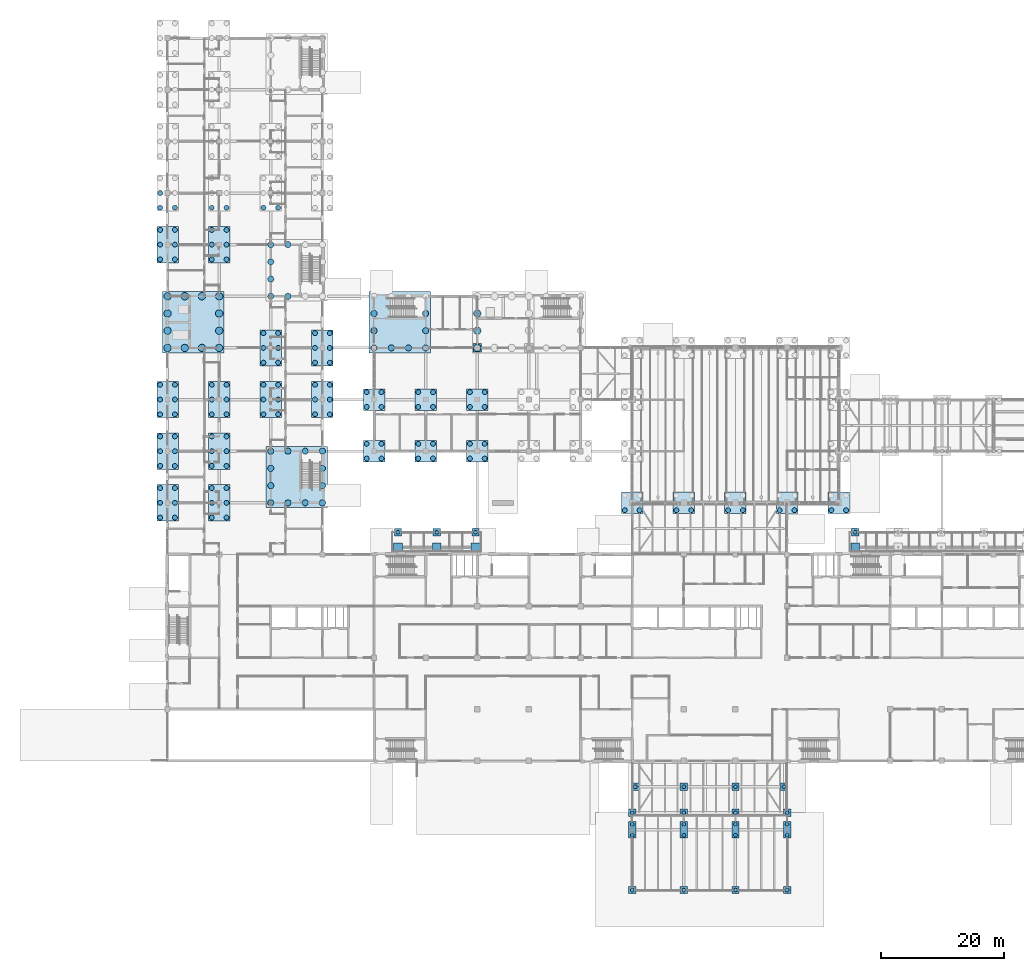
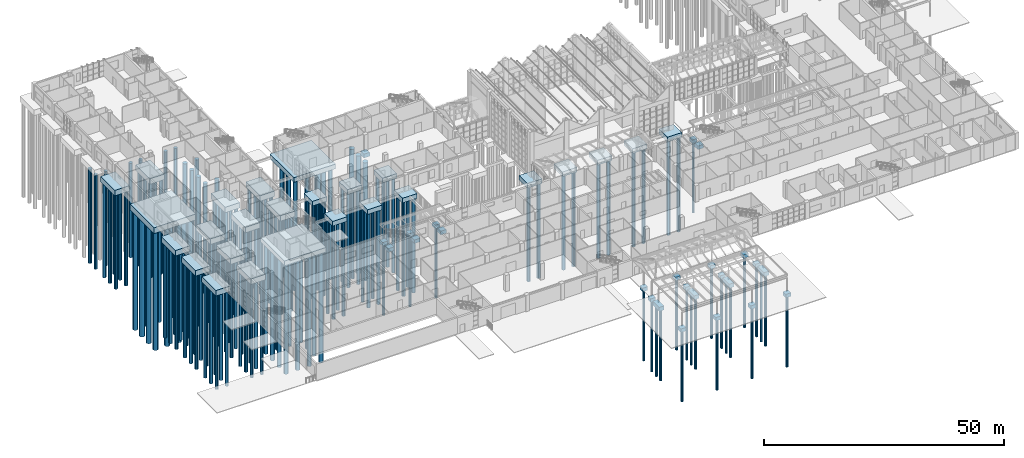
# One storey, part 1 of 138: 178 piles, 51 footings.
"""IFC4 building model written with IfcOpenShell, lengths in metres."""

from ifc_helpers import new_model, si_unit, direction, frame, origin, origin_2d, place, context, subcontext, project, spatial, rectangle, circle, extrude, material, material_profile, profile_set, type_object, element, save


model = new_model("IFC4")

# Units and contexts
model_context = context("Model", 3, precision=1e-05, world=origin(), true_north=direction((0.0, 1.0)))
body_context = subcontext(model_context, "Body", "Model", "MODEL_VIEW")
ifc_project = project(units=[si_unit("LENGTHUNIT", "METRE"), si_unit("AREAUNIT", "SQUARE_METRE"), si_unit("VOLUMEUNIT", "CUBIC_METRE"), si_unit("PLANEANGLEUNIT", "RADIAN"), si_unit("MASSUNIT", "GRAM", prefix="KILO")], contexts=[model_context])

# Site, building, storey
site_placement = place(None, origin())
site = spatial("IfcSite", under=ifc_project, at=site_placement, CompositionType="ELEMENT")
building_placement = place(site_placement, origin())
building = spatial("IfcBuilding", under=site, at=building_placement, Name="Yavir Park General Hospital", CompositionType="ELEMENT")
storey_placement = place(building_placement, origin())
storey = spatial("IfcBuildingStorey", under=building, at=storey_placement, Name="L00", CompositionType="ELEMENT", Elevation=0.0)

# Piles
ifc_material_1 = material(Name="Concrete C35/45", Category="concrete")
ifc_material_profile_1 = material_profile(ifc_material_1, circle(Radius=0.5, at=origin_2d()), Name="D1000")
ifc_profile_set_1 = profile_set([ifc_material_profile_1], Name="Concrete C35/45")
pile_type_1 = type_object("IfcPileType", Name="BORED PILE D1000", PredefinedType="BORED", material=ifc_profile_set_1)
for number, where, z_axis, x_axis, name in (
    (1, (16.800048828125, 42.0, -1.64990234375), (0.0, 0.0, -1.0), (1.0, 0.0, 0.0), "P:L00:SW1:00"),
    (2, (19.60009765625, 42.0, -1.64990234375), (0.0, 0.0, -1.0), (1.0, 0.0, 0.0), "P:L00:SW1:01"),
    (3, (22.39990234375, 42.0, -1.64990234375), (0.0, 0.0, -1.0), (1.0, 0.0, 0.0), "P:L00:SW1:02"),
    (4, (25.199951171875, 42.0, -1.64990234375), (0.0, 0.0, -1.0), (1.0, 0.0, 0.0), "P:L00:SW1:03"),
    (5, (16.800048828125, 44.800048828125, -1.64990234375), (0.0, 0.0, -1.0), (1.0, 0.0, 0.0), "P:L00:SW1:04"),
    (6, (25.199951171875, 44.800048828125, -1.64990234375), (0.0, 0.0, -1.0), (1.0, 0.0, 0.0), "P:L00:SW1:05"),
    (7, (16.800048828125, 47.60009765625, -1.64990234375), (0.0, 0.0, -1.0), (1.0, 0.0, 0.0), "P:L00:SW1:06"),
    (8, (25.199951171875, 47.60009765625, -1.64990234375), (0.0, 0.0, -1.0), (1.0, 0.0, 0.0), "P:L00:SW1:07"),
    (9, (16.800048828125, 50.39990234375, -1.64990234375), (0.0, 0.0, -1.0), (1.0, 0.0, 0.0), "P:L00:SW1:08"),
    (10, (19.60009765625, 50.39990234375, -1.64990234375), (0.0, 0.0, -1.0), (1.0, 0.0, 0.0), "P:L00:SW1:09"),
    (11, (22.39990234375, 50.39990234375, -1.64990234375), (0.0, 0.0, -1.0), (1.0, 0.0, 0.0), "P:L00:SW1:10"),
    (12, (25.199951171875, 50.39990234375, -1.64990234375), (0.0, 0.0, -1.0), (1.0, 0.0, 0.0), "P:L00:SW1:11"),
    (13, (16.800048828125, 75.60009765625, -1.64990234375), (0.0, 0.0, -1.0), (1.0, 0.0, 0.0), "P:L00:SW2:00"),
    (14, (19.60009765625, 75.60009765625, -1.64990234375), (0.0, 0.0, -1.0), (1.0, 0.0, 0.0), "P:L00:SW2:01"),
    (15, (16.800048828125, 78.39990234375, -1.64990234375), (0.0, 0.0, -1.0), (1.0, 0.0, 0.0), "P:L00:SW2:04"),
    (16, (16.800048828125, 81.199951171875, -1.64990234375), (0.0, 0.0, -1.0), (1.0, 0.0, 0.0), "P:L00:SW2:06"),
    (17, (16.800048828125, 84.0, -1.64990234375), (0.0, 0.0, -1.0), (1.0, 0.0, 0.0), "P:L00:SW2:08"),
    (18, (19.60009765625, 84.0, -1.64990234375), (0.0, 0.0, -1.0), (1.0, 0.0, 0.0), "P:L00:SW2:09"),
    (19, (33.60009765625, 67.199951171875, -1.64990234375), (0.0, 0.0, -1.0), (1.0, 0.0, 0.0), "P:L00:CS1:00"),
    (20, (36.39990234375, 67.199951171875, -1.64990234375), (0.0, 0.0, -1.0), (1.0, 0.0, 0.0), "P:L00:CS1:01"),
    (21, (39.199951171875, 67.199951171875, -1.64990234375), (0.0, 0.0, -1.0), (1.0, 0.0, 0.0), "P:L00:CS1:02"),
    (22, (42.0, 67.199951171875, -1.64990234375), (0.0, 0.0, -1.0), (1.0, 0.0, 0.0), "P:L00:CS1:03"),
    (23, (33.60009765625, 70.0, -1.64990234375), (0.0, 0.0, -1.0), (1.0, 0.0, 0.0), "P:L00:CS1:04"),
    (24, (42.0, 70.0, -1.64990234375), (0.0, 0.0, -1.0), (1.0, 0.0, 0.0), "P:L00:CS1:05"),
    (25, (33.60009765625, 72.800048828125, -1.64990234375), (0.0, 0.0, -1.0), (1.0, 0.0, 0.0), "P:L00:CS1:06"),
    (26, (42.0, 72.800048828125, -1.64990234375), (0.0, 0.0, -1.0), (1.0, 0.0, 0.0), "P:L00:CS1:07"),
):
    element("IfcPile", number, at=place(storey_placement, frame(where, z_axis=z_axis, x_axis=x_axis)), inside=storey, type_object=pile_type_1, Name=name, PredefinedType="BORED", context=body_context, shape_type="SweptSolid", body=[
        extrude(circle(Radius=0.5, at=origin_2d()), origin(), (0.0, 0.0, 1.0), 28.0),
    ])
ifc_material_2 = material(Name="Concrete C35/45", Category="concrete")
ifc_material_profile_2 = material_profile(ifc_material_2, circle(Radius=0.60009765625, at=origin_2d()), Name="D1200")
ifc_profile_set_2 = profile_set([ifc_material_profile_2], Name="Concrete C35/45")
pile_type_2 = type_object("IfcPileType", Name="BORED PILE D1200", PredefinedType="BORED", material=ifc_profile_set_2)
for number, where, z_axis, x_axis, name in (
    (27, (0.0, 67.199951171875, -2.89990234375), (0.0, 0.0, -1.0), (1.0, 0.0, 0.0), "P:L00:AL:00"),
    (28, (2.800048828125, 67.199951171875, -2.89990234375), (0.0, 0.0, -1.0), (1.0, 0.0, 0.0), "P:L00:AL:01"),
    (29, (5.60009765625, 67.199951171875, -2.89990234375), (0.0, 0.0, -1.0), (1.0, 0.0, 0.0), "P:L00:AL:02"),
    (30, (8.39990234375, 67.199951171875, -2.89990234375), (0.0, 0.0, -1.0), (1.0, 0.0, 0.0), "P:L00:AL:03"),
    (31, (0.0, 70.0, -2.89990234375), (0.0, 0.0, -1.0), (1.0, 0.0, 0.0), "P:L00:AL:04"),
    (32, (8.39990234375, 70.0, -2.89990234375), (0.0, 0.0, -1.0), (1.0, 0.0, 0.0), "P:L00:AL:05"),
    (33, (0.0, 72.800048828125, -2.89990234375), (0.0, 0.0, -1.0), (1.0, 0.0, 0.0), "P:L00:AL:06"),
    (34, (8.39990234375, 72.800048828125, -2.89990234375), (0.0, 0.0, -1.0), (1.0, 0.0, 0.0), "P:L00:AL:07"),
    (35, (0.0, 75.60009765625, -2.89990234375), (0.0, 0.0, -1.0), (1.0, 0.0, 0.0), "P:L00:AL:08"),
    (36, (2.800048828125, 75.60009765625, -2.89990234375), (0.0, 0.0, -1.0), (1.0, 0.0, 0.0), "P:L00:AL:09"),
    (37, (5.60009765625, 75.60009765625, -2.89990234375), (0.0, 0.0, -1.0), (1.0, 0.0, 0.0), "P:L00:AL:10"),
    (38, (8.39990234375, 75.60009765625, -2.89990234375), (0.0, 0.0, -1.0), (1.0, 0.0, 0.0), "P:L00:AL:11"),
    (39, (50.39990234375, 67.199951171875, -2.89990234375), (0.0, 0.0, -1.0), (1.0, 0.0, 0.0), "P:L00:CPL:00"),
    (40, (50.39990234375, 70.0, -2.89990234375), (0.0, 0.0, -1.0), (1.0, 0.0, 0.0), "P:L00:CPL:04"),
    (41, (50.39990234375, 72.800048828125, -2.89990234375), (0.0, 0.0, -1.0), (1.0, 0.0, 0.0), "P:L00:CPL:06"),
):
    element("IfcPile", number, at=place(storey_placement, frame(where, z_axis=z_axis, x_axis=x_axis)), inside=storey, type_object=pile_type_2, Name=name, PredefinedType="BORED", context=body_context, shape_type="SweptSolid", body=[
        extrude(circle(Radius=0.60009765625, at=origin_2d()), origin(), (0.0, 0.0, 1.0), 30.0),
    ])
ifc_material_3 = material(Name="Concrete C35/45", Category="concrete")
ifc_material_profile_3 = material_profile(ifc_material_3, circle(Radius=0.300048828125, at=origin_2d()), Name="D600")
ifc_profile_set_3 = profile_set([ifc_material_profile_3], Name="Concrete C35/45")
pile_type_3 = type_object("IfcPileType", Name="BORED PILE D600", PredefinedType="BORED", material=ifc_profile_set_3)
for number, where, z_axis, x_axis, name in (
    (42, (75.60009765625, -8.39990234375, -1.199951171875), (0.0, 0.0, -1.0), (1.0, 0.0, 0.0), "P:PORCH:SS0"),
    (43, (84.0, -8.39990234375, -1.199951171875), (0.0, 0.0, -1.0), (1.0, 0.0, 0.0), "P:PORCH:SS1"),
    (44, (92.39990234375, -8.39990234375, -1.199951171875), (0.0, 0.0, -1.0), (1.0, 0.0, 0.0), "P:PORCH:SS2"),
    (45, (100.800048828125, -8.39990234375, -1.199951171875), (0.0, 0.0, -1.0), (1.0, 0.0, 0.0), "P:PORCH:SS3"),
    (46, (76.10009765625, -4.199951171875, -1.199951171875), (0.0, 0.0, -1.0), (1.0, 0.0, 0.0), "P:PORCH:K0"),
    (47, (84.0, -4.199951171875, -1.199951171875), (0.0, 0.0, -1.0), (1.0, 0.0, 0.0), "P:PORCH:K1"),
    (48, (92.39990234375, -4.199951171875, -1.199951171875), (0.0, 0.0, -1.0), (1.0, 0.0, 0.0), "P:PORCH:K2"),
    (49, (100.300048828125, -4.199951171875, -1.199951171875), (0.0, 0.0, -1.0), (1.0, 0.0, 0.0), "P:PORCH:K3"),
    (50, (37.5, 37.199951171875, -1.199951171875), (0.0, 0.0, -1.0), (1.0, 0.0, 0.0), "P:ARC1:C10"),
    (51, (43.800048828125, 37.199951171875, -1.199951171875), (0.0, 0.0, -1.0), (1.0, 0.0, 0.0), "P:ARC1:C11"),
    (52, (50.10009765625, 37.199951171875, -1.199951171875), (0.0, 0.0, -1.0), (1.0, 0.0, 0.0), "P:ARC1:C12"),
    (53, (111.89990234375, 37.199951171875, -1.199951171875), (0.0, 0.0, -1.0), (1.0, 0.0, 0.0), "P:ARC2:C10"),
    (54, (75.60009765625, -12.10009765625, -1.300048828125), (0.0, 0.0, -1.0), (1.0, 0.0, 0.0), "P:DROP:C00:0"),
    (55, (75.60009765625, -10.300048828125, -1.300048828125), (0.0, 0.0, -1.0), (1.0, 0.0, 0.0), "P:DROP:C00:1"),
    (56, (84.0, -12.10009765625, -1.300048828125), (0.0, 0.0, -1.0), (1.0, 0.0, 0.0), "P:DROP:C01:0"),
    (57, (84.0, -10.300048828125, -1.300048828125), (0.0, 0.0, -1.0), (1.0, 0.0, 0.0), "P:DROP:C01:1"),
    (58, (92.39990234375, -12.10009765625, -1.300048828125), (0.0, 0.0, -1.0), (1.0, 0.0, 0.0), "P:DROP:C02:0"),
    (59, (92.39990234375, -10.300048828125, -1.300048828125), (0.0, 0.0, -1.0), (1.0, 0.0, 0.0), "P:DROP:C02:1"),
    (60, (100.800048828125, -12.10009765625, -1.300048828125), (0.0, 0.0, -1.0), (1.0, 0.0, 0.0), "P:DROP:C03:0"),
    (61, (100.800048828125, -10.300048828125, -1.300048828125), (0.0, 0.0, -1.0), (1.0, 0.0, 0.0), "P:DROP:C03:1"),
    (62, (75.60009765625, -21.0, -1.199951171875), (0.0, 0.0, -1.0), (1.0, 0.0, 0.0), "P:DROP:C10"),
    (63, (84.0, -21.0, -1.199951171875), (0.0, 0.0, -1.0), (1.0, 0.0, 0.0), "P:DROP:C11"),
    (64, (92.39990234375, -21.0, -1.199951171875), (0.0, 0.0, -1.0), (1.0, 0.0, 0.0), "P:DROP:C12"),
    (65, (100.800048828125, -21.0, -1.199951171875), (0.0, 0.0, -1.0), (1.0, 0.0, 0.0), "P:DROP:C13"),
):
    element("IfcPile", number, at=place(storey_placement, frame(where, z_axis=z_axis, x_axis=x_axis)), inside=storey, type_object=pile_type_3, Name=name, PredefinedType="BORED", context=body_context, shape_type="SweptSolid", body=[
        extrude(circle(Radius=0.300048828125, at=origin_2d()), origin(), (0.0, 0.0, 1.0), 18.0),
    ])
ifc_material_4 = material(Name="Concrete C35/45", Category="concrete")
ifc_material_profile_4 = material_profile(ifc_material_4, circle(Radius=0.39990234375, at=origin_2d()), Name="D800")
ifc_profile_set_4 = profile_set([ifc_material_profile_4], Name="Concrete C35/45")
pile_type_4 = type_object("IfcPileType", Name="BORED PILE D800", PredefinedType="BORED", material=ifc_profile_set_4)
for number, where, z_axis, x_axis, name in (
    (66, (-1.199951171875, 39.60009765625, -1.85009765625), (0.0, 0.0, -1.0), (1.0, 0.0, 0.0), "P:L00:1F:0"),
    (67, (-1.199951171875, 42.0, -1.85009765625), (0.0, 0.0, -1.0), (1.0, 0.0, 0.0), "P:L00:1F:1"),
    (68, (-1.199951171875, 44.39990234375, -1.85009765625), (0.0, 0.0, -1.0), (1.0, 0.0, 0.0), "P:L00:1F:2"),
    (69, (1.199951171875, 39.60009765625, -1.85009765625), (0.0, 0.0, -1.0), (1.0, 0.0, 0.0), "P:L00:1F:3"),
    (70, (1.199951171875, 42.0, -1.85009765625), (0.0, 0.0, -1.0), (1.0, 0.0, 0.0), "P:L00:1F:4"),
    (71, (1.199951171875, 44.39990234375, -1.85009765625), (0.0, 0.0, -1.0), (1.0, 0.0, 0.0), "P:L00:1F:5"),
    (72, (7.199951171875, 39.60009765625, -1.85009765625), (0.0, 0.0, -1.0), (1.0, 0.0, 0.0), "P:L00:2F:0"),
    (73, (7.199951171875, 42.0, -1.85009765625), (0.0, 0.0, -1.0), (1.0, 0.0, 0.0), "P:L00:2F:1"),
    (74, (7.199951171875, 44.39990234375, -1.85009765625), (0.0, 0.0, -1.0), (1.0, 0.0, 0.0), "P:L00:2F:2"),
    (75, (9.60009765625, 39.60009765625, -1.85009765625), (0.0, 0.0, -1.0), (1.0, 0.0, 0.0), "P:L00:2F:3"),
    (76, (9.60009765625, 42.0, -1.85009765625), (0.0, 0.0, -1.0), (1.0, 0.0, 0.0), "P:L00:2F:4"),
    (77, (9.60009765625, 44.39990234375, -1.85009765625), (0.0, 0.0, -1.0), (1.0, 0.0, 0.0), "P:L00:2F:5"),
    (78, (74.39990234375, 40.800048828125, -1.64990234375), (0.0, 0.0, -1.0), (1.0, 0.0, 0.0), "P:L00:10F:0"),
    (79, (76.800048828125, 40.800048828125, -1.64990234375), (0.0, 0.0, -1.0), (1.0, 0.0, 0.0), "P:L00:10F:1"),
    (80, (82.800048828125, 40.800048828125, -1.64990234375), (0.0, 0.0, -1.0), (1.0, 0.0, 0.0), "P:L00:11F:0"),
    (81, (85.199951171875, 40.800048828125, -1.64990234375), (0.0, 0.0, -1.0), (1.0, 0.0, 0.0), "P:L00:11F:1"),
    (82, (91.199951171875, 40.800048828125, -1.64990234375), (0.0, 0.0, -1.0), (1.0, 0.0, 0.0), "P:L00:12F:0"),
    (83, (93.60009765625, 40.800048828125, -1.64990234375), (0.0, 0.0, -1.0), (1.0, 0.0, 0.0), "P:L00:12F:1"),
    (84, (99.60009765625, 40.800048828125, -1.64990234375), (0.0, 0.0, -1.0), (1.0, 0.0, 0.0), "P:L00:13F:0"),
    (85, (102.0, 40.800048828125, -1.64990234375), (0.0, 0.0, -1.0), (1.0, 0.0, 0.0), "P:L00:13F:1"),
    (86, (108.0, 40.800048828125, -1.64990234375), (0.0, 0.0, -1.0), (1.0, 0.0, 0.0), "P:L00:14F:0"),
    (87, (110.39990234375, 40.800048828125, -1.64990234375), (0.0, 0.0, -1.0), (1.0, 0.0, 0.0), "P:L00:14F:1"),
    (88, (-1.199951171875, 48.0, -1.85009765625), (0.0, 0.0, -1.0), (1.0, 0.0, 0.0), "P:L00:1G:0"),
    (89, (-1.199951171875, 50.39990234375, -1.85009765625), (0.0, 0.0, -1.0), (1.0, 0.0, 0.0), "P:L00:1G:1"),
    (90, (-1.199951171875, 52.800048828125, -1.85009765625), (0.0, 0.0, -1.0), (1.0, 0.0, 0.0), "P:L00:1G:2"),
    (91, (1.199951171875, 48.0, -1.85009765625), (0.0, 0.0, -1.0), (1.0, 0.0, 0.0), "P:L00:1G:3"),
    (92, (1.199951171875, 50.39990234375, -1.85009765625), (0.0, 0.0, -1.0), (1.0, 0.0, 0.0), "P:L00:1G:4"),
    (93, (1.199951171875, 52.800048828125, -1.85009765625), (0.0, 0.0, -1.0), (1.0, 0.0, 0.0), "P:L00:1G:5"),
    (94, (7.199951171875, 48.0, -1.85009765625), (0.0, 0.0, -1.0), (1.0, 0.0, 0.0), "P:L00:2G:0"),
    (95, (7.199951171875, 50.39990234375, -1.85009765625), (0.0, 0.0, -1.0), (1.0, 0.0, 0.0), "P:L00:2G:1"),
    (96, (7.199951171875, 52.800048828125, -1.85009765625), (0.0, 0.0, -1.0), (1.0, 0.0, 0.0), "P:L00:2G:2"),
    (97, (9.60009765625, 48.0, -1.85009765625), (0.0, 0.0, -1.0), (1.0, 0.0, 0.0), "P:L00:2G:3"),
    (98, (9.60009765625, 50.39990234375, -1.85009765625), (0.0, 0.0, -1.0), (1.0, 0.0, 0.0), "P:L00:2G:4"),
    (99, (9.60009765625, 52.800048828125, -1.85009765625), (0.0, 0.0, -1.0), (1.0, 0.0, 0.0), "P:L00:2G:5"),
    (100, (32.39990234375, 49.199951171875, -1.64990234375), (0.0, 0.0, -1.0), (1.0, 0.0, 0.0), "P:L00:5G:0"),
    (101, (34.800048828125, 49.199951171875, -1.64990234375), (0.0, 0.0, -1.0), (1.0, 0.0, 0.0), "P:L00:5G:1"),
    (102, (32.39990234375, 51.60009765625, -1.64990234375), (0.0, 0.0, -1.0), (1.0, 0.0, 0.0), "P:L00:5G:2"),
    (103, (34.800048828125, 51.60009765625, -1.64990234375), (0.0, 0.0, -1.0), (1.0, 0.0, 0.0), "P:L00:5G:3"),
    (104, (40.800048828125, 49.199951171875, -1.64990234375), (0.0, 0.0, -1.0), (1.0, 0.0, 0.0), "P:L00:6G:0"),
    (105, (43.199951171875, 49.199951171875, -1.64990234375), (0.0, 0.0, -1.0), (1.0, 0.0, 0.0), "P:L00:6G:1"),
    (106, (40.800048828125, 51.60009765625, -1.64990234375), (0.0, 0.0, -1.0), (1.0, 0.0, 0.0), "P:L00:6G:2"),
    (107, (43.199951171875, 51.60009765625, -1.64990234375), (0.0, 0.0, -1.0), (1.0, 0.0, 0.0), "P:L00:6G:3"),
    (108, (49.199951171875, 49.199951171875, -1.64990234375), (0.0, 0.0, -1.0), (1.0, 0.0, 0.0), "P:L00:7G:0"),
    (109, (51.60009765625, 49.199951171875, -1.64990234375), (0.0, 0.0, -1.0), (1.0, 0.0, 0.0), "P:L00:7G:1"),
    (110, (49.199951171875, 51.60009765625, -1.64990234375), (0.0, 0.0, -1.0), (1.0, 0.0, 0.0), "P:L00:7G:2"),
    (111, (51.60009765625, 51.60009765625, -1.64990234375), (0.0, 0.0, -1.0), (1.0, 0.0, 0.0), "P:L00:7G:3"),
    (112, (-1.199951171875, 56.39990234375, -1.85009765625), (0.0, 0.0, -1.0), (1.0, 0.0, 0.0), "P:L00:1H:0"),
    (113, (-1.199951171875, 58.800048828125, -1.85009765625), (0.0, 0.0, -1.0), (1.0, 0.0, 0.0), "P:L00:1H:1"),
    (114, (-1.199951171875, 61.199951171875, -1.85009765625), (0.0, 0.0, -1.0), (1.0, 0.0, 0.0), "P:L00:1H:2"),
    (115, (1.199951171875, 56.39990234375, -1.85009765625), (0.0, 0.0, -1.0), (1.0, 0.0, 0.0), "P:L00:1H:3"),
    (116, (1.199951171875, 58.800048828125, -1.85009765625), (0.0, 0.0, -1.0), (1.0, 0.0, 0.0), "P:L00:1H:4"),
    (117, (1.199951171875, 61.199951171875, -1.85009765625), (0.0, 0.0, -1.0), (1.0, 0.0, 0.0), "P:L00:1H:5"),
    (118, (7.199951171875, 56.39990234375, -1.85009765625), (0.0, 0.0, -1.0), (1.0, 0.0, 0.0), "P:L00:2H:0"),
    (119, (7.199951171875, 58.800048828125, -1.85009765625), (0.0, 0.0, -1.0), (1.0, 0.0, 0.0), "P:L00:2H:1"),
    (120, (7.199951171875, 61.199951171875, -1.85009765625), (0.0, 0.0, -1.0), (1.0, 0.0, 0.0), "P:L00:2H:2"),
    (121, (9.60009765625, 56.39990234375, -1.85009765625), (0.0, 0.0, -1.0), (1.0, 0.0, 0.0), "P:L00:2H:3"),
    (122, (9.60009765625, 58.800048828125, -1.85009765625), (0.0, 0.0, -1.0), (1.0, 0.0, 0.0), "P:L00:2H:4"),
    (123, (9.60009765625, 61.199951171875, -1.85009765625), (0.0, 0.0, -1.0), (1.0, 0.0, 0.0), "P:L00:2H:5"),
    (124, (15.60009765625, 56.39990234375, -1.85009765625), (0.0, 0.0, -1.0), (1.0, 0.0, 0.0), "P:L00:3H:0"),
    (125, (15.60009765625, 58.800048828125, -1.85009765625), (0.0, 0.0, -1.0), (1.0, 0.0, 0.0), "P:L00:3H:1"),
    (126, (15.60009765625, 61.199951171875, -1.85009765625), (0.0, 0.0, -1.0), (1.0, 0.0, 0.0), "P:L00:3H:2"),
    (127, (18.0, 56.39990234375, -1.85009765625), (0.0, 0.0, -1.0), (1.0, 0.0, 0.0), "P:L00:3H:3"),
    (128, (18.0, 58.800048828125, -1.85009765625), (0.0, 0.0, -1.0), (1.0, 0.0, 0.0), "P:L00:3H:4"),
    (129, (18.0, 61.199951171875, -1.85009765625), (0.0, 0.0, -1.0), (1.0, 0.0, 0.0), "P:L00:3H:5"),
    (130, (24.0, 56.39990234375, -1.85009765625), (0.0, 0.0, -1.0), (1.0, 0.0, 0.0), "P:L00:4H:0"),
    (131, (24.0, 58.800048828125, -1.85009765625), (0.0, 0.0, -1.0), (1.0, 0.0, 0.0), "P:L00:4H:1"),
    (132, (24.0, 61.199951171875, -1.85009765625), (0.0, 0.0, -1.0), (1.0, 0.0, 0.0), "P:L00:4H:2"),
    (133, (26.39990234375, 56.39990234375, -1.85009765625), (0.0, 0.0, -1.0), (1.0, 0.0, 0.0), "P:L00:4H:3"),
    (134, (26.39990234375, 58.800048828125, -1.85009765625), (0.0, 0.0, -1.0), (1.0, 0.0, 0.0), "P:L00:4H:4"),
    (135, (26.39990234375, 61.199951171875, -1.85009765625), (0.0, 0.0, -1.0), (1.0, 0.0, 0.0), "P:L00:4H:5"),
    (136, (32.39990234375, 57.60009765625, -1.64990234375), (0.0, 0.0, -1.0), (1.0, 0.0, 0.0), "P:L00:5H:0"),
    (137, (34.800048828125, 57.60009765625, -1.64990234375), (0.0, 0.0, -1.0), (1.0, 0.0, 0.0), "P:L00:5H:1"),
    (138, (32.39990234375, 60.0, -1.64990234375), (0.0, 0.0, -1.0), (1.0, 0.0, 0.0), "P:L00:5H:2"),
    (139, (34.800048828125, 60.0, -1.64990234375), (0.0, 0.0, -1.0), (1.0, 0.0, 0.0), "P:L00:5H:3"),
    (140, (40.800048828125, 57.60009765625, -1.64990234375), (0.0, 0.0, -1.0), (1.0, 0.0, 0.0), "P:L00:6H:0"),
    (141, (43.199951171875, 57.60009765625, -1.64990234375), (0.0, 0.0, -1.0), (1.0, 0.0, 0.0), "P:L00:6H:1"),
    (142, (40.800048828125, 60.0, -1.64990234375), (0.0, 0.0, -1.0), (1.0, 0.0, 0.0), "P:L00:6H:2"),
    (143, (43.199951171875, 60.0, -1.64990234375), (0.0, 0.0, -1.0), (1.0, 0.0, 0.0), "P:L00:6H:3"),
    (144, (49.199951171875, 57.60009765625, -1.64990234375), (0.0, 0.0, -1.0), (1.0, 0.0, 0.0), "P:L00:7H:0"),
    (145, (51.60009765625, 57.60009765625, -1.64990234375), (0.0, 0.0, -1.0), (1.0, 0.0, 0.0), "P:L00:7H:1"),
    (146, (49.199951171875, 60.0, -1.64990234375), (0.0, 0.0, -1.0), (1.0, 0.0, 0.0), "P:L00:7H:2"),
    (147, (51.60009765625, 60.0, -1.64990234375), (0.0, 0.0, -1.0), (1.0, 0.0, 0.0), "P:L00:7H:3"),
    (148, (15.60009765625, 64.800048828125, -1.85009765625), (0.0, 0.0, -1.0), (1.0, 0.0, 0.0), "P:L00:3J:0"),
    (149, (15.60009765625, 67.199951171875, -1.85009765625), (0.0, 0.0, -1.0), (1.0, 0.0, 0.0), "P:L00:3J:1"),
    (150, (15.60009765625, 69.60009765625, -1.85009765625), (0.0, 0.0, -1.0), (1.0, 0.0, 0.0), "P:L00:3J:2"),
    (151, (18.0, 64.800048828125, -1.85009765625), (0.0, 0.0, -1.0), (1.0, 0.0, 0.0), "P:L00:3J:3"),
    (152, (18.0, 67.199951171875, -1.85009765625), (0.0, 0.0, -1.0), (1.0, 0.0, 0.0), "P:L00:3J:4"),
    (153, (18.0, 69.60009765625, -1.85009765625), (0.0, 0.0, -1.0), (1.0, 0.0, 0.0), "P:L00:3J:5"),
    (154, (24.0, 64.800048828125, -1.85009765625), (0.0, 0.0, -1.0), (1.0, 0.0, 0.0), "P:L00:4J:0"),
    (155, (24.0, 67.199951171875, -1.85009765625), (0.0, 0.0, -1.0), (1.0, 0.0, 0.0), "P:L00:4J:1"),
    (156, (24.0, 69.60009765625, -1.85009765625), (0.0, 0.0, -1.0), (1.0, 0.0, 0.0), "P:L00:4J:2"),
    (157, (26.39990234375, 64.800048828125, -1.85009765625), (0.0, 0.0, -1.0), (1.0, 0.0, 0.0), "P:L00:4J:3"),
    (158, (26.39990234375, 67.199951171875, -1.85009765625), (0.0, 0.0, -1.0), (1.0, 0.0, 0.0), "P:L00:4J:4"),
    (159, (26.39990234375, 69.60009765625, -1.85009765625), (0.0, 0.0, -1.0), (1.0, 0.0, 0.0), "P:L00:4J:5"),
    (160, (-1.199951171875, 81.60009765625, -1.85009765625), (0.0, 0.0, -1.0), (1.0, 0.0, 0.0), "P:L00:1L:0"),
    (161, (-1.199951171875, 84.0, -1.85009765625), (0.0, 0.0, -1.0), (1.0, 0.0, 0.0), "P:L00:1L:1"),
    (162, (-1.199951171875, 86.39990234375, -1.85009765625), (0.0, 0.0, -1.0), (1.0, 0.0, 0.0), "P:L00:1L:2"),
    (163, (1.199951171875, 81.60009765625, -1.85009765625), (0.0, 0.0, -1.0), (1.0, 0.0, 0.0), "P:L00:1L:3"),
    (164, (1.199951171875, 84.0, -1.85009765625), (0.0, 0.0, -1.0), (1.0, 0.0, 0.0), "P:L00:1L:4"),
    (165, (1.199951171875, 86.39990234375, -1.85009765625), (0.0, 0.0, -1.0), (1.0, 0.0, 0.0), "P:L00:1L:5"),
    (166, (7.199951171875, 81.60009765625, -1.85009765625), (0.0, 0.0, -1.0), (1.0, 0.0, 0.0), "P:L00:2L:0"),
    (167, (7.199951171875, 84.0, -1.85009765625), (0.0, 0.0, -1.0), (1.0, 0.0, 0.0), "P:L00:2L:1"),
    (168, (7.199951171875, 86.39990234375, -1.85009765625), (0.0, 0.0, -1.0), (1.0, 0.0, 0.0), "P:L00:2L:2"),
    (169, (9.60009765625, 81.60009765625, -1.85009765625), (0.0, 0.0, -1.0), (1.0, 0.0, 0.0), "P:L00:2L:3"),
    (170, (9.60009765625, 84.0, -1.85009765625), (0.0, 0.0, -1.0), (1.0, 0.0, 0.0), "P:L00:2L:4"),
    (171, (9.60009765625, 86.39990234375, -1.85009765625), (0.0, 0.0, -1.0), (1.0, 0.0, 0.0), "P:L00:2L:5"),
    (172, (-1.199951171875, 90.0, -1.85009765625), (0.0, 0.0, -1.0), (1.0, 0.0, 0.0), "P:L00:1M:0"),
    (173, (-1.199951171875, 92.39990234375, -1.85009765625), (0.0, 0.0, -1.0), (1.0, 0.0, 0.0), "P:L00:1M:1"),
    (174, (1.199951171875, 90.0, -1.85009765625), (0.0, 0.0, -1.0), (1.0, 0.0, 0.0), "P:L00:1M:3"),
    (175, (7.199951171875, 90.0, -1.85009765625), (0.0, 0.0, -1.0), (1.0, 0.0, 0.0), "P:L00:2M:0"),
    (176, (9.60009765625, 90.0, -1.85009765625), (0.0, 0.0, -1.0), (1.0, 0.0, 0.0), "P:L00:2M:3"),
    (177, (15.60009765625, 90.0, -1.85009765625), (0.0, 0.0, -1.0), (1.0, 0.0, 0.0), "P:L00:3M:0"),
    (178, (18.0, 90.0, -1.85009765625), (0.0, 0.0, -1.0), (1.0, 0.0, 0.0), "P:L00:3M:3"),
):
    element("IfcPile", number, at=place(storey_placement, frame(where, z_axis=z_axis, x_axis=x_axis)), inside=storey, type_object=pile_type_4, Name=name, PredefinedType="BORED", context=body_context, shape_type="SweptSolid", body=[
        extrude(circle(Radius=0.39990234375, at=origin_2d()), origin(), (0.0, 0.0, 1.0), 24.0),
    ])

# Footings
ifc_material_5 = material(Name="Concrete C35/45", Category="concrete")
footing_type_1 = type_object("IfcFootingType", Name="PAD FOOTING COLUMN PEDESTAL 1400x1400x950", PredefinedType="PAD_FOOTING", material=ifc_material_5)
footing_1_placement = place(storey_placement, frame((50.39990234375, 67.199951171875, -1.39990234375), z_axis=(0.0, 0.0, 1.0), x_axis=(1.0, 0.0, 0.0)))
element("IfcFooting", 179, at=footing_1_placement, inside=storey, type_object=footing_type_1, Name="F:L00:7J", PredefinedType="PAD_FOOTING", context=body_context, shape_type="SweptSolid", body=[
    extrude(rectangle(XDim=1.39990234375, YDim=1.39990234375, at=origin_2d()), origin(), (0.0, 0.0, 1.0), 0.949951171875),
])
ifc_material_6 = material(Name="Concrete C35/45", Category="concrete")
footing_type_2 = type_object("IfcFootingType", Name="PAD FOOTING FRAME EDGE 1400x1400x900", PredefinedType="PAD_FOOTING", material=ifc_material_6)
for number, where, z_axis, x_axis, name in (
    (180, (37.5, 34.800048828125, -1.199951171875), (0.0, 0.0, 1.0), (1.0, 0.0, 0.0), "F:ARC1:C00"),
    (181, (43.800048828125, 34.800048828125, -1.199951171875), (0.0, 0.0, 1.0), (1.0, 0.0, 0.0), "F:ARC1:C01"),
    (182, (50.10009765625, 34.800048828125, -1.199951171875), (0.0, 0.0, 1.0), (1.0, 0.0, 0.0), "F:ARC1:C02"),
    (183, (111.89990234375, 34.800048828125, -1.199951171875), (0.0, 0.0, 1.0), (1.0, 0.0, 0.0), "F:ARC2:C00"),
):
    element("IfcFooting", number, at=place(storey_placement, frame(where, z_axis=z_axis, x_axis=x_axis)), inside=storey, type_object=footing_type_2, Name=name, PredefinedType="PAD_FOOTING", context=body_context, shape_type="SweptSolid", body=[
        extrude(rectangle(XDim=1.39990234375, YDim=1.39990234375, at=origin_2d()), origin(), (0.0, 0.0, 1.0), 0.89990234375),
    ])
ifc_material_7 = material(Name="Concrete C35/45", Category="concrete")
footing_type_3 = type_object("IfcFootingType", Name="PILE CAP COLUMN 3500x3500x1200", PredefinedType="PILE_CAP", material=ifc_material_7)
for number, where, z_axis, x_axis, name in (
    (184, (75.60009765625, 42.0, -1.64990234375), (0.0, 0.0, 1.0), (1.0, 0.0, 0.0), "F:L00:10F"),
    (185, (84.0, 42.0, -1.64990234375), (0.0, 0.0, 1.0), (1.0, 0.0, 0.0), "F:L00:11F"),
    (186, (92.39990234375, 42.0, -1.64990234375), (0.0, 0.0, 1.0), (1.0, 0.0, 0.0), "F:L00:12F"),
    (187, (100.800048828125, 42.0, -1.64990234375), (0.0, 0.0, 1.0), (1.0, 0.0, 0.0), "F:L00:13F"),
    (188, (109.199951171875, 42.0, -1.64990234375), (0.0, 0.0, 1.0), (1.0, 0.0, 0.0), "F:L00:14F"),
    (189, (33.60009765625, 50.39990234375, -1.64990234375), (0.0, 0.0, 1.0), (1.0, 0.0, 0.0), "F:L00:5G"),
    (190, (42.0, 50.39990234375, -1.64990234375), (0.0, 0.0, 1.0), (1.0, 0.0, 0.0), "F:L00:6G"),
    (191, (50.39990234375, 50.39990234375, -1.64990234375), (0.0, 0.0, 1.0), (1.0, 0.0, 0.0), "F:L00:7G"),
    (192, (33.60009765625, 58.800048828125, -1.64990234375), (0.0, 0.0, 1.0), (1.0, 0.0, 0.0), "F:L00:5H"),
    (193, (42.0, 58.800048828125, -1.64990234375), (0.0, 0.0, 1.0), (1.0, 0.0, 0.0), "F:L00:6H"),
    (194, (50.39990234375, 58.800048828125, -1.64990234375), (0.0, 0.0, 1.0), (1.0, 0.0, 0.0), "F:L00:7H"),
):
    element("IfcFooting", number, at=place(storey_placement, frame(where, z_axis=z_axis, x_axis=x_axis)), inside=storey, type_object=footing_type_3, Name=name, PredefinedType="PILE_CAP", context=body_context, shape_type="SweptSolid", body=[
        extrude(rectangle(XDim=3.5, YDim=3.5, at=origin_2d()), origin(), (0.0, 0.0, 1.0), 1.199951171875),
    ])
ifc_material_8 = material(Name="Concrete C35/45", Category="concrete")
footing_type_4 = type_object("IfcFootingType", Name="PILE CAP FRAME COLUMN 1200x1200x900", PredefinedType="PILE_CAP", material=ifc_material_8)
for number, where, z_axis, x_axis, name in (
    (195, (75.60009765625, -8.39990234375, -1.199951171875), (0.0, 0.0, 1.0), (1.0, 0.0, 0.0), "F:PORCH:SS0"),
    (196, (84.0, -8.39990234375, -1.199951171875), (0.0, 0.0, 1.0), (1.0, 0.0, 0.0), "F:PORCH:SS1"),
    (197, (92.39990234375, -8.39990234375, -1.199951171875), (0.0, 0.0, 1.0), (1.0, 0.0, 0.0), "F:PORCH:SS2"),
    (198, (100.800048828125, -8.39990234375, -1.199951171875), (0.0, 0.0, 1.0), (1.0, 0.0, 0.0), "F:PORCH:SS3"),
    (199, (76.10009765625, -4.199951171875, -1.199951171875), (0.0, 0.0, 1.0), (1.0, 0.0, 0.0), "F:PORCH:K0"),
    (200, (84.0, -4.199951171875, -1.199951171875), (0.0, 0.0, 1.0), (1.0, 0.0, 0.0), "F:PORCH:K1"),
    (201, (92.39990234375, -4.199951171875, -1.199951171875), (0.0, 0.0, 1.0), (1.0, 0.0, 0.0), "F:PORCH:K2"),
    (202, (100.300048828125, -4.199951171875, -1.199951171875), (0.0, 0.0, 1.0), (1.0, 0.0, 0.0), "F:PORCH:K3"),
    (203, (37.5, 37.199951171875, -1.199951171875), (0.0, 0.0, 1.0), (1.0, 0.0, 0.0), "F:ARC1:C10"),
    (204, (43.800048828125, 37.199951171875, -1.199951171875), (0.0, 0.0, 1.0), (1.0, 0.0, 0.0), "F:ARC1:C11"),
    (205, (50.10009765625, 37.199951171875, -1.199951171875), (0.0, 0.0, 1.0), (1.0, 0.0, 0.0), "F:ARC1:C12"),
    (206, (111.89990234375, 37.199951171875, -1.199951171875), (0.0, 0.0, 1.0), (1.0, 0.0, 0.0), "F:ARC2:C10"),
    (207, (75.60009765625, -21.0, -1.199951171875), (0.0, 0.0, 1.0), (1.0, 0.0, 0.0), "F:DROP:C10"),
    (208, (84.0, -21.0, -1.199951171875), (0.0, 0.0, 1.0), (1.0, 0.0, 0.0), "F:DROP:C11"),
    (209, (92.39990234375, -21.0, -1.199951171875), (0.0, 0.0, 1.0), (1.0, 0.0, 0.0), "F:DROP:C12"),
    (210, (100.800048828125, -21.0, -1.199951171875), (0.0, 0.0, 1.0), (1.0, 0.0, 0.0), "F:DROP:C13"),
):
    element("IfcFooting", number, at=place(storey_placement, frame(where, z_axis=z_axis, x_axis=x_axis)), inside=storey, type_object=footing_type_4, Name=name, PredefinedType="PILE_CAP", context=body_context, shape_type="SweptSolid", body=[
        extrude(rectangle(XDim=1.199951171875, YDim=1.199951171875, at=origin_2d()), origin(), (0.0, 0.0, 1.0), 0.89990234375),
    ])
ifc_material_9 = material(Name="Concrete C35/45", Category="concrete")
footing_type_5 = type_object("IfcFootingType", Name="PILE CAP FRAME COLUMN 1200x2700x1000", PredefinedType="PILE_CAP", material=ifc_material_9)
for number, where, z_axis, x_axis, name in (
    (211, (75.60009765625, -11.199951171875, -1.300048828125), (0.0, 0.0, 1.0), (1.0, 0.0, 0.0), "F:DROP:C00"),
    (212, (84.0, -11.199951171875, -1.300048828125), (0.0, 0.0, 1.0), (1.0, 0.0, 0.0), "F:DROP:C01"),
    (213, (92.39990234375, -11.199951171875, -1.300048828125), (0.0, 0.0, 1.0), (1.0, 0.0, 0.0), "F:DROP:C02"),
    (214, (100.800048828125, -11.199951171875, -1.300048828125), (0.0, 0.0, 1.0), (1.0, 0.0, 0.0), "F:DROP:C03"),
):
    element("IfcFooting", number, at=place(storey_placement, frame(where, z_axis=z_axis, x_axis=x_axis)), inside=storey, type_object=footing_type_5, Name=name, PredefinedType="PILE_CAP", context=body_context, shape_type="SweptSolid", body=[
        extrude(rectangle(XDim=1.199951171875, YDim=2.699951171875, at=origin_2d()), origin(), (0.0, 0.0, 1.0), 1.0),
    ])
ifc_material_10 = material(Name="Concrete C35/45", Category="concrete")
footing_type_6 = type_object("IfcFootingType", Name="PILE CAP LIFT PIT 10000x10000x1500", PredefinedType="PILE_CAP", material=ifc_material_10)
footing_2_placement = place(storey_placement, frame((4.199951171875, 71.39990234375, -2.89990234375), z_axis=(0.0, 0.0, 1.0), x_axis=(1.0, 0.0, 0.0)))
element("IfcFooting", 215, at=footing_2_placement, inside=storey, type_object=footing_type_6, Name="F:L00:AL", PredefinedType="PILE_CAP", context=body_context, shape_type="SweptSolid", body=[
    extrude(rectangle(XDim=10.0, YDim=10.0, at=origin_2d()), origin(), (0.0, 0.0, 1.0), 1.5),
])
ifc_material_11 = material(Name="Concrete C35/45", Category="concrete")
footing_type_7 = type_object("IfcFootingType", Name="PILE CAP STAIR CORE 10000x10000x1200", PredefinedType="PILE_CAP", material=ifc_material_11)
for number, where, z_axis, x_axis, name in (
    (216, (21.0, 46.199951171875, -1.64990234375), (0.0, 0.0, 1.0), (1.0, 0.0, 0.0), "F:L00:SW1"),
    (217, (37.800048828125, 71.39990234375, -1.64990234375), (0.0, 0.0, 1.0), (1.0, 0.0, 0.0), "F:L00:CS1"),
):
    element("IfcFooting", number, at=place(storey_placement, frame(where, z_axis=z_axis, x_axis=x_axis)), inside=storey, type_object=footing_type_7, Name=name, PredefinedType="PILE_CAP", context=body_context, shape_type="SweptSolid", body=[
        extrude(rectangle(XDim=10.0, YDim=10.0, at=origin_2d()), origin(), (0.0, 0.0, 1.0), 1.199951171875),
    ])
ifc_material_12 = material(Name="Concrete C35/45", Category="concrete")
footing_type_8 = type_object("IfcFootingType", Name="PILE CAP WARD BAR COLUMN 3500x5900x1400", PredefinedType="PILE_CAP", material=ifc_material_12)
for number, where, z_axis, x_axis, name in (
    (218, (0.0, 42.0, -1.849853515625), (0.0, 0.0, 1.0), (1.0, 0.0, 0.0), "F:L00:1F"),
    (219, (8.39990234375, 42.0, -1.849853515625), (0.0, 0.0, 1.0), (1.0, 0.0, 0.0), "F:L00:2F"),
    (220, (0.0, 50.39990234375, -1.849853515625), (0.0, 0.0, 1.0), (1.0, 0.0, 0.0), "F:L00:1G"),
    (221, (8.39990234375, 50.39990234375, -1.849853515625), (0.0, 0.0, 1.0), (1.0, 0.0, 0.0), "F:L00:2G"),
    (222, (0.0, 58.800048828125, -1.849853515625), (0.0, 0.0, 1.0), (1.0, 0.0, 0.0), "F:L00:1H"),
    (223, (8.39990234375, 58.800048828125, -1.849853515625), (0.0, 0.0, 1.0), (1.0, 0.0, 0.0), "F:L00:2H"),
    (224, (16.800048828125, 58.800048828125, -1.849853515625), (0.0, 0.0, 1.0), (1.0, 0.0, 0.0), "F:L00:3H"),
    (225, (25.199951171875, 58.800048828125, -1.849853515625), (0.0, 0.0, 1.0), (1.0, 0.0, 0.0), "F:L00:4H"),
    (226, (16.800048828125, 67.199951171875, -1.849853515625), (0.0, 0.0, 1.0), (1.0, 0.0, 0.0), "F:L00:3J"),
    (227, (25.199951171875, 67.199951171875, -1.849853515625), (0.0, 0.0, 1.0), (1.0, 0.0, 0.0), "F:L00:4J"),
    (228, (0.0, 84.0, -1.849853515625), (0.0, 0.0, 1.0), (1.0, 0.0, 0.0), "F:L00:1L"),
    (229, (8.39990234375, 84.0, -1.849853515625), (0.0, 0.0, 1.0), (1.0, 0.0, 0.0), "F:L00:2L"),
):
    element("IfcFooting", number, at=place(storey_placement, frame(where, z_axis=z_axis, x_axis=x_axis)), inside=storey, type_object=footing_type_8, Name=name, PredefinedType="PILE_CAP", context=body_context, shape_type="SweptSolid", body=[
        extrude(rectangle(XDim=3.5, YDim=5.89990234375, at=origin_2d()), origin(), (0.0, 0.0, 1.0), 1.39990234375),
    ])

save(model, "model.ifc")
